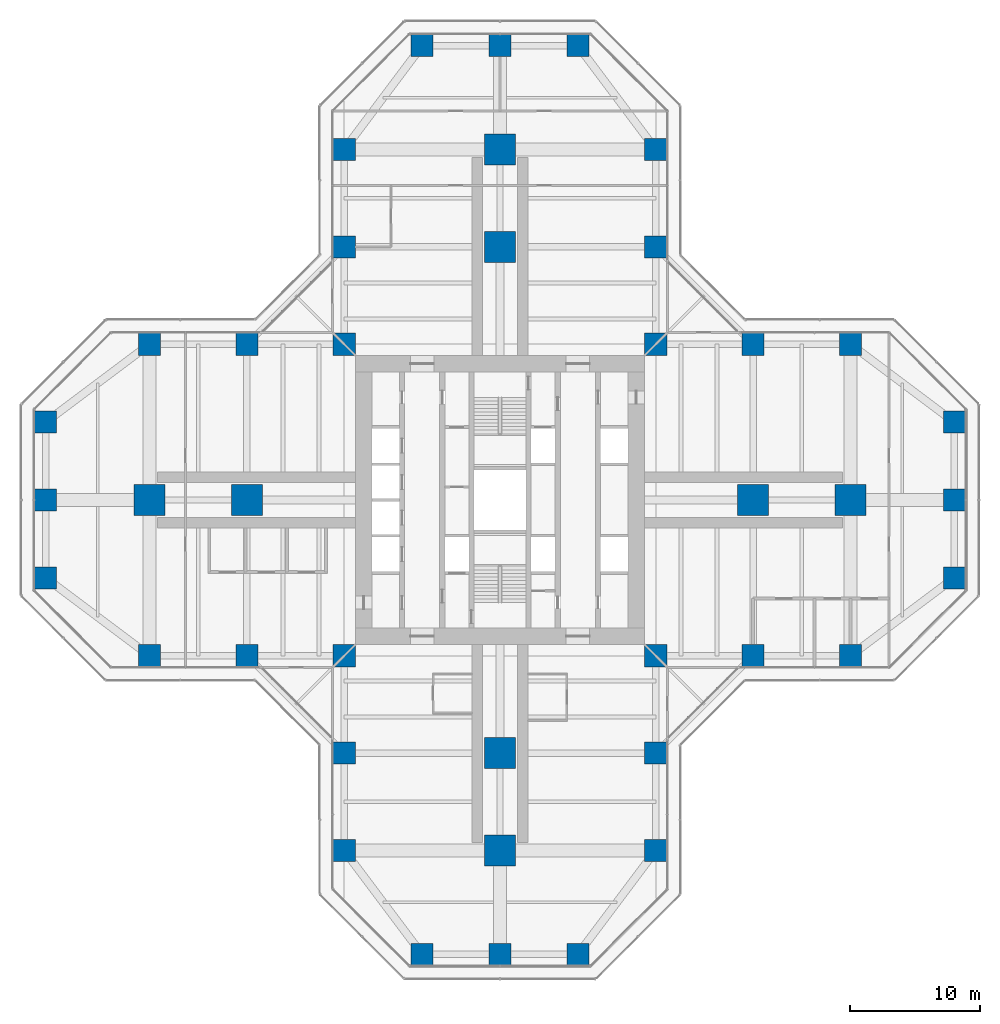
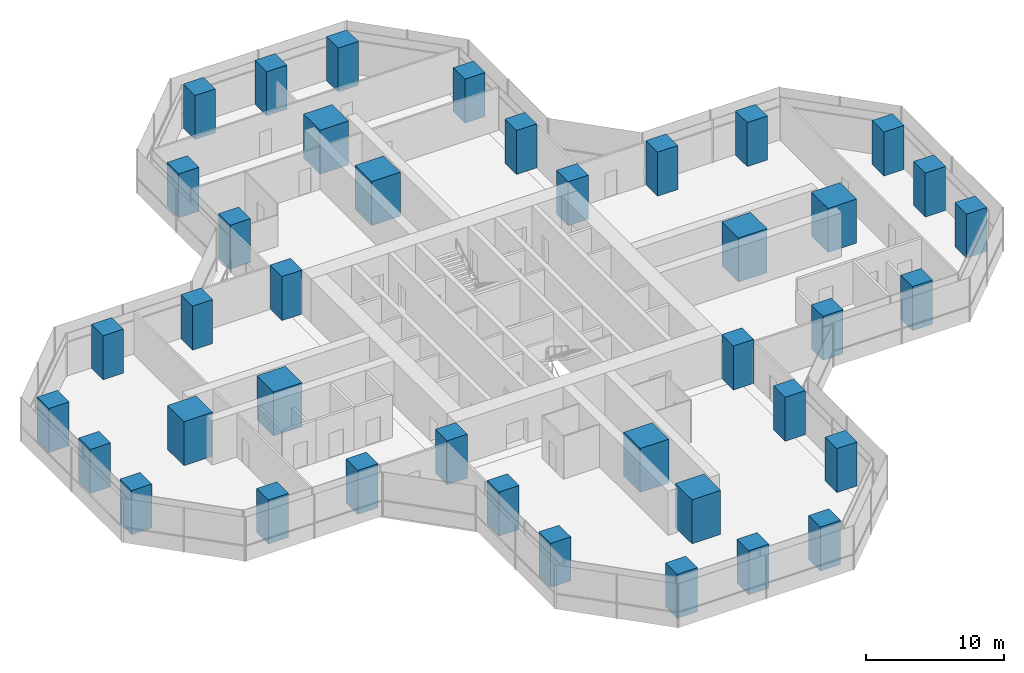
# One storey, part 1 of 22: 40 columns.
"""IFC4 building model written with IfcOpenShell, lengths in metres."""

from ifc_helpers import new_model, si_unit, direction, frame, origin, origin_2d, place, context, subcontext, project, spatial, rectangle, extrude, material, material_profile, profile_set, type_object, element, save


model = new_model("IFC4")

# Units and contexts
model_context = context("Model", 3, precision=1e-05, world=origin(), true_north=direction((0.0, 1.0)))
body_context = subcontext(model_context, "Body", "Model", "MODEL_VIEW")
ifc_project = project(units=[si_unit("LENGTHUNIT", "METRE"), si_unit("AREAUNIT", "SQUARE_METRE"), si_unit("VOLUMEUNIT", "CUBIC_METRE"), si_unit("PLANEANGLEUNIT", "RADIAN"), si_unit("MASSUNIT", "GRAM", prefix="KILO")], contexts=[model_context])

# Site, building, storey
site_placement = place(None, origin())
site = spatial("IfcSite", under=ifc_project, at=site_placement, CompositionType="ELEMENT")
building_placement = place(site_placement, origin())
building = spatial("IfcBuilding", under=site, at=building_placement, Name="Mizan Broadcast Tower", CompositionType="ELEMENT")
storey_placement = place(building_placement, frame((0.0, 0.0, 51.300048828125)))
storey = spatial("IfcBuildingStorey", under=building, at=storey_placement, Name="L09", CompositionType="ELEMENT", Elevation=51.300048828125)

# Columns
ifc_material_1 = material(Name="Concrete C70/85", Category="concrete")
ifc_material_profile_1 = material_profile(ifc_material_1, rectangle(XDim=1.699951171875, YDim=1.699951171875, at=origin_2d()), Name="RC 1700x1700")
ifc_profile_set_1 = profile_set([ifc_material_profile_1], Name="Concrete C70/85")
column_type_1 = type_object("IfcColumnType", Name="RC COLUMN 1700x1700 C70/85", PredefinedType="COLUMN", material=ifc_profile_set_1)
for number, where, z_axis, x_axis, name in (
    (1, (-6.0, -35.0, 0.0), (0.0, 0.0, 1.0), (1.0, 0.0, 0.0), "Column 5/A L09"),
    (2, (0.0, -35.0, 0.0), (0.0, 0.0, 1.0), (1.0, 0.0, 0.0), "Column 6/A L09"),
    (3, (6.0, -35.0, 0.0), (0.0, 0.0, 1.0), (1.0, 0.0, 0.0), "Column 7/A L09"),
    (4, (-12.0, -27.0, 0.0), (0.0, 0.0, 1.0), (1.0, 0.0, 0.0), "Column 4/B L09"),
    (5, (12.0, -27.0, 0.0), (0.0, 0.0, 1.0), (1.0, 0.0, 0.0), "Column 8/B L09"),
    (6, (-12.0, -19.5, 0.0), (0.0, 0.0, 1.0), (1.0, 0.0, 0.0), "Column 4/C L09"),
    (7, (12.0, -19.5, 0.0), (0.0, 0.0, 1.0), (1.0, 0.0, 0.0), "Column 8/C L09"),
    (8, (-27.0, -12.0, 0.0), (0.0, 0.0, 1.0), (1.0, 0.0, 0.0), "Column 2/D L09"),
    (9, (-19.5, -12.0, 0.0), (0.0, 0.0, 1.0), (1.0, 0.0, 0.0), "Column 3/D L09"),
    (10, (-12.0, -12.0, 0.0), (0.0, 0.0, 1.0), (1.0, 0.0, 0.0), "Column 4/D L09"),
    (11, (12.0, -12.0, 0.0), (0.0, 0.0, 1.0), (1.0, 0.0, 0.0), "Column 8/D L09"),
    (12, (19.5, -12.0, 0.0), (0.0, 0.0, 1.0), (1.0, 0.0, 0.0), "Column 9/D L09"),
    (13, (27.0, -12.0, 0.0), (0.0, 0.0, 1.0), (1.0, 0.0, 0.0), "Column 10/D L09"),
    (14, (-35.0, -6.0, 0.0), (0.0, 0.0, 1.0), (1.0, 0.0, 0.0), "Column 1/E L09"),
    (15, (35.0, -6.0, 0.0), (0.0, 0.0, 1.0), (1.0, 0.0, 0.0), "Column 11/E L09"),
    (16, (-35.0, 0.0, 0.0), (0.0, 0.0, 1.0), (1.0, 0.0, 0.0), "Column 1/F L09"),
    (17, (35.0, 0.0, 0.0), (0.0, 0.0, 1.0), (1.0, 0.0, 0.0), "Column 11/F L09"),
    (18, (-35.0, 6.0, 0.0), (0.0, 0.0, 1.0), (1.0, 0.0, 0.0), "Column 1/G L09"),
    (19, (35.0, 6.0, 0.0), (0.0, 0.0, 1.0), (1.0, 0.0, 0.0), "Column 11/G L09"),
    (20, (-27.0, 12.0, 0.0), (0.0, 0.0, 1.0), (1.0, 0.0, 0.0), "Column 2/H L09"),
    (21, (-19.5, 12.0, 0.0), (0.0, 0.0, 1.0), (1.0, 0.0, 0.0), "Column 3/H L09"),
    (22, (-12.0, 12.0, 0.0), (0.0, 0.0, 1.0), (1.0, 0.0, 0.0), "Column 4/H L09"),
    (23, (12.0, 12.0, 0.0), (0.0, 0.0, 1.0), (1.0, 0.0, 0.0), "Column 8/H L09"),
    (24, (19.5, 12.0, 0.0), (0.0, 0.0, 1.0), (1.0, 0.0, 0.0), "Column 9/H L09"),
    (25, (27.0, 12.0, 0.0), (0.0, 0.0, 1.0), (1.0, 0.0, 0.0), "Column 10/H L09"),
    (26, (-12.0, 19.5, 0.0), (0.0, 0.0, 1.0), (1.0, 0.0, 0.0), "Column 4/J L09"),
    (27, (12.0, 19.5, 0.0), (0.0, 0.0, 1.0), (1.0, 0.0, 0.0), "Column 8/J L09"),
    (28, (-12.0, 27.0, 0.0), (0.0, 0.0, 1.0), (1.0, 0.0, 0.0), "Column 4/K L09"),
    (29, (12.0, 27.0, 0.0), (0.0, 0.0, 1.0), (1.0, 0.0, 0.0), "Column 8/K L09"),
    (30, (-6.0, 35.0, 0.0), (0.0, 0.0, 1.0), (1.0, 0.0, 0.0), "Column 5/L L09"),
    (31, (0.0, 35.0, 0.0), (0.0, 0.0, 1.0), (1.0, 0.0, 0.0), "Column 6/L L09"),
    (32, (6.0, 35.0, 0.0), (0.0, 0.0, 1.0), (1.0, 0.0, 0.0), "Column 7/L L09"),
):
    element("IfcColumn", number, at=place(storey_placement, frame(where, z_axis=z_axis, x_axis=x_axis)), inside=storey, type_object=column_type_1, Name=name, PredefinedType="COLUMN", context=body_context, shape_type="SweptSolid", body=[
        extrude(rectangle(XDim=1.699951171875, YDim=1.699951171875, at=origin_2d()), origin(), (0.0, 0.0, 1.0), 3.89990234375),
    ])
ifc_material_2 = material(Name="Concrete C70/85", Category="concrete")
ifc_material_profile_2 = material_profile(ifc_material_2, rectangle(XDim=2.39990234375, YDim=2.39990234375, at=origin_2d()), Name="RC 2400x2400")
ifc_profile_set_2 = profile_set([ifc_material_profile_2], Name="Concrete C70/85")
column_type_2 = type_object("IfcColumnType", Name="RC COLUMN 2400x2400 C70/85", PredefinedType="COLUMN", material=ifc_profile_set_2)
for number, where, z_axis, x_axis, name in (
    (33, (0.0, -27.0, 0.0), (0.0, 0.0, 1.0), (1.0, 0.0, 0.0), "Column 6/B L09"),
    (34, (0.0, -19.5, 0.0), (0.0, 0.0, 1.0), (1.0, 0.0, 0.0), "Column 6/C L09"),
    (35, (-27.0, 0.0, 0.0), (0.0, 0.0, 1.0), (1.0, 0.0, 0.0), "Column 2/F L09"),
    (36, (-19.5, 0.0, 0.0), (0.0, 0.0, 1.0), (1.0, 0.0, 0.0), "Column 3/F L09"),
    (37, (19.5, 0.0, 0.0), (0.0, 0.0, 1.0), (1.0, 0.0, 0.0), "Column 9/F L09"),
    (38, (27.0, 0.0, 0.0), (0.0, 0.0, 1.0), (1.0, 0.0, 0.0), "Column 10/F L09"),
    (39, (0.0, 19.5, 0.0), (0.0, 0.0, 1.0), (1.0, 0.0, 0.0), "Column 6/J L09"),
    (40, (0.0, 27.0, 0.0), (0.0, 0.0, 1.0), (1.0, 0.0, 0.0), "Column 6/K L09"),
):
    element("IfcColumn", number, at=place(storey_placement, frame(where, z_axis=z_axis, x_axis=x_axis)), inside=storey, type_object=column_type_2, Name=name, PredefinedType="COLUMN", context=body_context, shape_type="SweptSolid", body=[
        extrude(rectangle(XDim=2.39990234375, YDim=2.39990234375, at=origin_2d()), origin(), (0.0, 0.0, 1.0), 3.89990234375),
    ])

save(model, "model.ifc")
